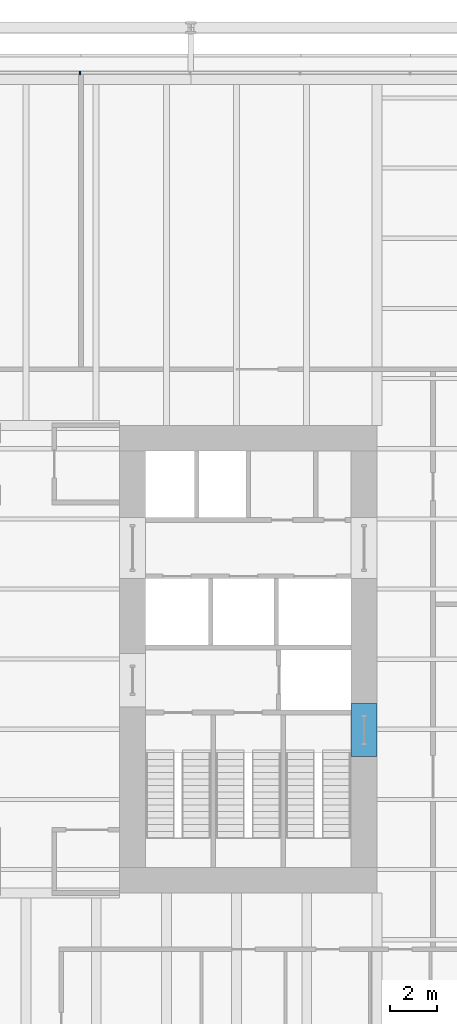
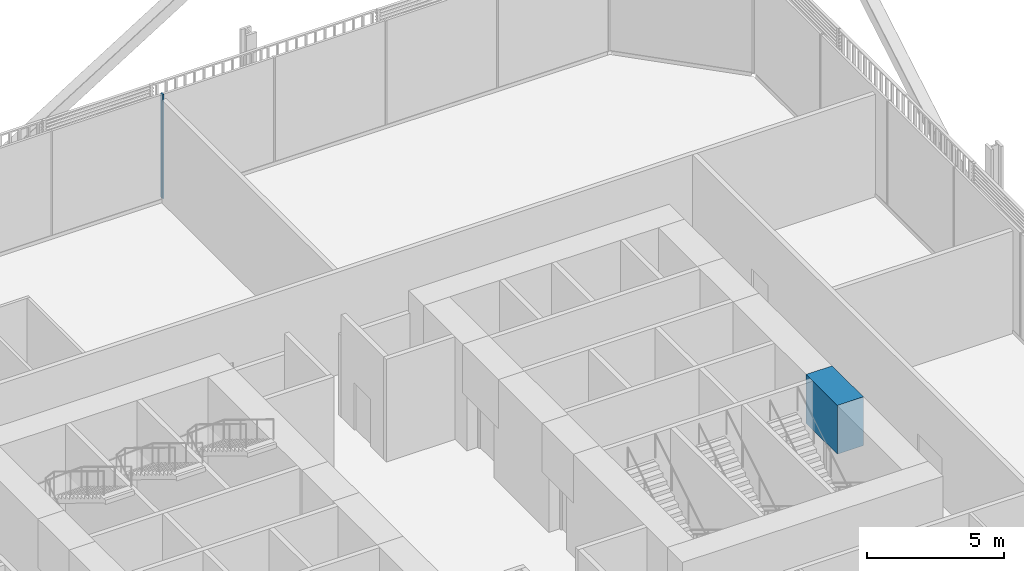
# One storey, part 14 of 26: 1 beam, 1 member, 1 element without a shape of its own.
"""IFC4 building model written with IfcOpenShell, lengths in metres."""

import ifcopenshell
import ifcopenshell.guid

model = None  # the IFC model being written
_history = None  # IfcOwnerHistory: only IFC2X3 demands one
_inside = {}  # id of a spatial element -> (the spatial element, [elements in it])
_under = {}  # id of a project, library or spatial element -> (it, [spatial elements below it])
_declared = {}  # id of a project -> (the project, [libraries it declares])
_typed = {}  # id of a type object -> (the type object, [elements of that type])
_made_of = {}  # id of a material, layer set ... -> (it, [elements and type objects made of it])


def new_model(schema):
    """Start an empty IFC model of exactly this schema.

    Asked for "IFC4X3", IfcOpenShell would pick the latest addendum, in which some entities
    have other attributes; the version numbers below select the first issue.
    IFC2X3 requires an IfcOwnerHistory on every rooted entity: one is made here for all.
    """
    global model, _history
    if schema == "IFC4X3":
        model = ifcopenshell.file(schema_version=(4, 3, 0, 0))
    else:
        model = ifcopenshell.file(schema=schema)
    _inside.clear()
    _under.clear()
    _declared.clear()
    _typed.clear()
    _made_of.clear()
    _history = None
    if model.schema == "IFC2X3":
        org = make("IfcOrganization", Name="unknown")
        user = make(
            "IfcPersonAndOrganization",
            ThePerson=make("IfcPerson", FamilyName="unknown"),
            TheOrganization=org,
        )
        app = make(
            "IfcApplication",
            ApplicationDeveloper=org,
            Version="unknown",
            ApplicationFullName="unknown",
            ApplicationIdentifier="unknown",
        )
        _history = make(
            "IfcOwnerHistory",
            OwningUser=user,
            OwningApplication=app,
            ChangeAction="ADDED",
            CreationDate=0,
        )
    return model


def make(cls, **values):
    """One entity of the class cls with the attributes given. An attribute that is None is left unset."""
    return model.create_entity(
        cls, **{name: value for name, value in values.items() if value is not None}
    )


def rooted(cls, **values):
    """An entity with a GlobalId (a new one), such as an element, a storey or a relation."""
    return make(cls, GlobalId=ifcopenshell.guid.new(), OwnerHistory=_history, **values)


def si_unit(unit_type, name, prefix=None):
    """IfcSIUnit, for example si_unit("LENGTHUNIT", "METRE", prefix="MILLI")."""
    return make("IfcSIUnit", UnitType=unit_type, Prefix=prefix, Name=name)


def assignment(units):
    """IfcUnitAssignment: the units of a project."""
    return None if units is None else make("IfcUnitAssignment", Units=units)


def point(xyz):
    """IfcCartesianPoint."""
    return None if xyz is None else make("IfcCartesianPoint", Coordinates=xyz)


def direction(xyz):
    """IfcDirection."""
    return None if xyz is None else make("IfcDirection", DirectionRatios=xyz)


def frame(location, z_axis=None, x_axis=None):
    """IfcAxis2Placement3D, a coordinate frame: its origin and axes. An axis left out is left unset."""
    return make(
        "IfcAxis2Placement3D",
        Location=point(location),
        Axis=direction(z_axis),
        RefDirection=direction(x_axis),
    )


def frame_2d(location, x_axis=None):
    """IfcAxis2Placement2D, a coordinate frame in the plane: its origin and x axis."""
    return make(
        "IfcAxis2Placement2D", Location=point(location), RefDirection=direction(x_axis)
    )


def origin():
    """The frame at (0, 0, 0) with its axes left unset."""
    return frame((0.0, 0.0, 0.0))


def origin_2d():
    """The frame at (0, 0) in the plane with its x axis left unset."""
    return frame_2d((0.0, 0.0))


def place(relative_to, where):
    """IfcLocalPlacement: puts the frame where relative to a parent placement (None: the world)."""
    return make(
        "IfcLocalPlacement", PlacementRelTo=relative_to, RelativePlacement=where
    )


def context(
    kind, dimensions, precision=None, world=None, true_north=None, identifier=None
):
    """IfcGeometricRepresentationContext, for example the 3D "Model" context."""
    return make(
        "IfcGeometricRepresentationContext",
        ContextIdentifier=identifier,
        ContextType=kind,
        CoordinateSpaceDimension=dimensions,
        Precision=precision,
        WorldCoordinateSystem=world,
        TrueNorth=true_north,
    )


def subcontext(parent, identifier, kind, view, scale=None):
    """IfcGeometricRepresentationSubContext, for example "Body" below "Model"."""
    return make(
        "IfcGeometricRepresentationSubContext",
        ContextIdentifier=identifier,
        ContextType=kind,
        ParentContext=parent,
        TargetScale=scale,
        TargetView=view,
    )


def project(units=None, contexts=None):
    """IfcProject with its units and contexts."""
    return rooted(
        "IfcProject",
        Name="project",
        RepresentationContexts=contexts,
        UnitsInContext=assignment(units),
    )


def spatial(cls, under=None, at=None, **own):
    """A site, building, storey or space (cls), placed at a placement, below another one or the project."""
    s = rooted(cls, ObjectPlacement=at, **own)
    if under is not None:
        _under.setdefault(under.id(), (under, []))[1].append(s)
    return s


def profile(cls, at=None, kind="AREA", **sizes):
    """A parametric profile (cls). Its sizes go by their IFC names, for example OverallWidth=200.0."""
    return make(cls, ProfileType=kind, Position=at, **sizes)


def rectangle(**sizes):
    """IfcRectangleProfileDef."""
    return profile("IfcRectangleProfileDef", **sizes)


def extrude(swept, where, along, depth):
    """IfcExtrudedAreaSolid: the profile swept, set in the frame where, extruded along a direction by depth."""
    return make(
        "IfcExtrudedAreaSolid",
        SweptArea=swept,
        Position=where,
        ExtrudedDirection=direction(along),
        Depth=depth,
    )


def shape(context_of_items, identifier, shape_type, items):
    """IfcShapeRepresentation: the items that make up one representation, for example the "Body"."""
    return make(
        "IfcShapeRepresentation",
        ContextOfItems=context_of_items,
        RepresentationIdentifier=identifier,
        RepresentationType=shape_type,
        Items=items,
    )


def material(Name=None, Category=None):
    """IfcMaterial."""
    return make("IfcMaterial", Name=Name, Category=Category)


def layer(
    of_material, thickness, ventilated=None, Name=None, Category=None, Priority=None
):
    """IfcMaterialLayer: one layer of a wall or slab, of a material (None: an air gap)."""
    return make(
        "IfcMaterialLayer",
        Material=of_material,
        LayerThickness=thickness,
        IsVentilated=ventilated,
        Name=Name,
        Category=Category,
        Priority=Priority,
    )


def layer_set(layers, Name=None):
    """IfcMaterialLayerSet."""
    return make("IfcMaterialLayerSet", MaterialLayers=layers, LayerSetName=Name)


def material_profile(
    of_material, cross_section, Name=None, Category=None, Priority=None
):
    """IfcMaterialProfile: a cross section and its material."""
    return make(
        "IfcMaterialProfile",
        Name=Name,
        Material=of_material,
        Profile=cross_section,
        Priority=Priority,
        Category=Category,
    )


def profile_set(profiles, Name=None, composite=None):
    """IfcMaterialProfileSet."""
    return make(
        "IfcMaterialProfileSet",
        Name=Name,
        MaterialProfiles=profiles,
        CompositeProfile=composite,
    )


def made_of(thing, what):
    """Note that an element or type object is made of a material, layer set ...; save() writes the relation."""
    if what is not None:
        _made_of.setdefault(what.id(), (what, []))[1].append(thing)
    return thing


def type_object(cls, material=None, **own):
    """A type object (cls), such as IfcWallType, which elements share."""
    return made_of(rooted(cls, **own), material)


def element(
    cls,
    number,
    at=None,
    inside=None,
    cuts=None,
    type_object=None,
    material=None,
    context=None,
    identifier="Body",
    shape_type=None,
    held_by="IfcProductDefinitionShape",
    body=None,
    shapes=None,
    **own,
):
    """One element of the class cls, such as IfcWall. Its Tag is "e" and its number.

    at: its placement. inside: the storey or other place that contains it. cuts: it is an
    opening in that element (IfcRelVoidsElement). A single representation is given by context,
    identifier, shape_type and body (its items); several are given by shapes. held_by: the class
    of the entity that holds the representations. save() writes the other relations.
    """
    e = rooted(cls, Tag="e%d" % number, ObjectPlacement=at, **own)
    if body is not None:
        shapes = [shape(context, identifier, shape_type, body)]
    if shapes is not None:
        e.Representation = make(held_by, Representations=shapes)
    if inside is not None:
        _inside.setdefault(inside.id(), (inside, []))[1].append(e)
    if cuts is not None:
        rooted(
            "IfcRelVoidsElement", RelatingBuildingElement=cuts, RelatedOpeningElement=e
        )
    if type_object is not None:
        _typed.setdefault(type_object.id(), (type_object, []))[1].append(e)
    return made_of(e, material)


def aggregate(whole, parts):
    """IfcRelAggregates: a whole, such as a stair, and the parts it consists of."""
    return rooted("IfcRelAggregates", RelatingObject=whole, RelatedObjects=parts)


def save(model, path):
    """Write the relations noted so far, then the file.

    IfcRelAggregates (storeys below a building ...), IfcRelContainedInSpatialStructure (elements
    in a storey), IfcRelDefinesByType, IfcRelAssociatesMaterial and IfcRelDeclares: one each for
    every whole, place, type object, material and project.
    """
    for whole, parts in _under.values():
        aggregate(whole, parts)
    for where, things in _inside.values():
        rooted(
            "IfcRelContainedInSpatialStructure",
            RelatedElements=things,
            RelatingStructure=where,
        )
    for kind, things in _typed.values():
        rooted("IfcRelDefinesByType", RelatedObjects=things, RelatingType=kind)
    for what, things in _made_of.values():
        rooted("IfcRelAssociatesMaterial", RelatedObjects=things, RelatingMaterial=what)
    for by, libraries in _declared.values():
        rooted("IfcRelDeclares", RelatingContext=by, RelatedDefinitions=libraries)
    model.write(path)


model = new_model("IFC4")

# Units and contexts
model_context = context("Model", 3, precision=1e-05, world=origin(), true_north=direction((0.0, 1.0)))
body_context = subcontext(model_context, "Body", "Model", "MODEL_VIEW")
ifc_project = project(units=[si_unit("LENGTHUNIT", "METRE"), si_unit("AREAUNIT", "SQUARE_METRE"), si_unit("VOLUMEUNIT", "CUBIC_METRE"), si_unit("PLANEANGLEUNIT", "RADIAN"), si_unit("MASSUNIT", "GRAM", prefix="KILO")], contexts=[model_context])

# Site, building, storey
site_placement = place(None, origin())
site = spatial("IfcSite", under=ifc_project, at=site_placement, CompositionType="ELEMENT")
building_placement = place(site_placement, origin())
building = spatial("IfcBuilding", under=site, at=building_placement, Name="Millrace Tower", CompositionType="ELEMENT")
storey_placement = place(building_placement, frame((0.0, 0.0, 11.300048828125)))
storey = spatial("IfcBuildingStorey", under=building, at=storey_placement, Name="L03", CompositionType="ELEMENT", Elevation=11.300048828125)

# Curtain wall, member
ifc_material_1 = material(Name="Aluminium and glass", Category="aluminium")
ifc_layer = layer(ifc_material_1, 0.14990234375)
ifc_layer_set = layer_set([ifc_layer], Name="Aluminium and glass")
curtain_wall_type = type_object("IfcCurtainWallType", Name="CW-2 data hall insulated curtain wall", PredefinedType="NOTDEFINED", material=ifc_layer_set)
curtain_wall_placement = place(storey_placement, origin())
curtain_wall = element("IfcCurtainWall", 1, at=curtain_wall_placement, inside=storey, type_object=curtain_wall_type, Name="Curtain wall AW3-F04 L03", PredefinedType="NOTDEFINED")
ifc_material_2 = material(Name="Aluminium", Category="aluminium")
ifc_material_profile_1 = material_profile(ifc_material_2, rectangle(XDim=0.06494140625, YDim=0.14990234375, at=origin_2d()))
ifc_profile_set_1 = profile_set([ifc_material_profile_1], Name="Aluminium")
member_type = type_object("IfcMemberType", Name="CW-2 data hall insulated curtain wall mullion", PredefinedType="MULLION", material=ifc_profile_set_1)
member_placement = place(storey_placement, frame((2.3173828125, 25.074951171875, 0.159912109375), z_axis=(0.0, 0.0, 1.0), x_axis=(-1.0, 0.0, 0.0)))
member = element("IfcMember", 2, at=member_placement, type_object=member_type, Name="CW2 mullion AW3-F04.5", PredefinedType="MULLION", context=body_context, shape_type="SweptSolid", body=[
    extrude(rectangle(XDim=0.06494140625, YDim=0.14990234375, at=origin_2d()), origin(), (0.0, 0.0, 1.0), 4.64013671875),
])
aggregate(curtain_wall, [member])

# Beam
ifc_material_3 = material(Name="Concrete C80", Category="concrete")
ifc_material_profile_2 = material_profile(ifc_material_3, rectangle(XDim=1.10009765625, YDim=2.175048828125, at=origin_2d()))
ifc_profile_set_2 = profile_set([ifc_material_profile_2], Name="Concrete C80")
beam_type = type_object("IfcBeamType", Name="Coupling beam 1100 x 2175 Concrete C80, 1300 opening", PredefinedType="BEAM", material=ifc_profile_set_2)
beam_placement = place(storey_placement, frame((14.449951171875, -1.88818359375, 3.487548828125), z_axis=(0.0, -1.0, 0.0), x_axis=(1.0, 0.0, 0.0)))
element("IfcBeam", 3, at=beam_placement, inside=storey, type_object=beam_type, Name="Coupling beam E L03", PredefinedType="BEAM", context=body_context, shape_type="SweptSolid", body=[
    extrude(rectangle(XDim=1.10009765625, YDim=2.175048828125, at=origin_2d()), origin(), (0.0, 0.0, 1.0), 2.28369140625),
])

save(model, "model.ifc")
